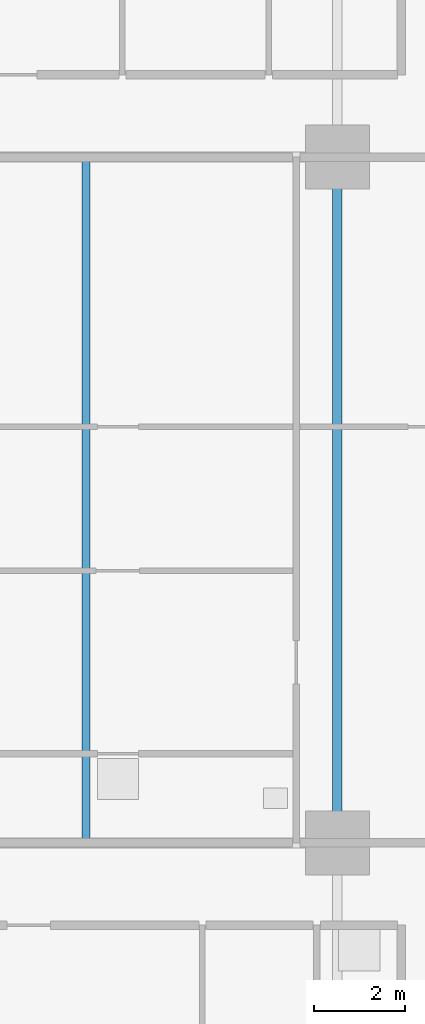
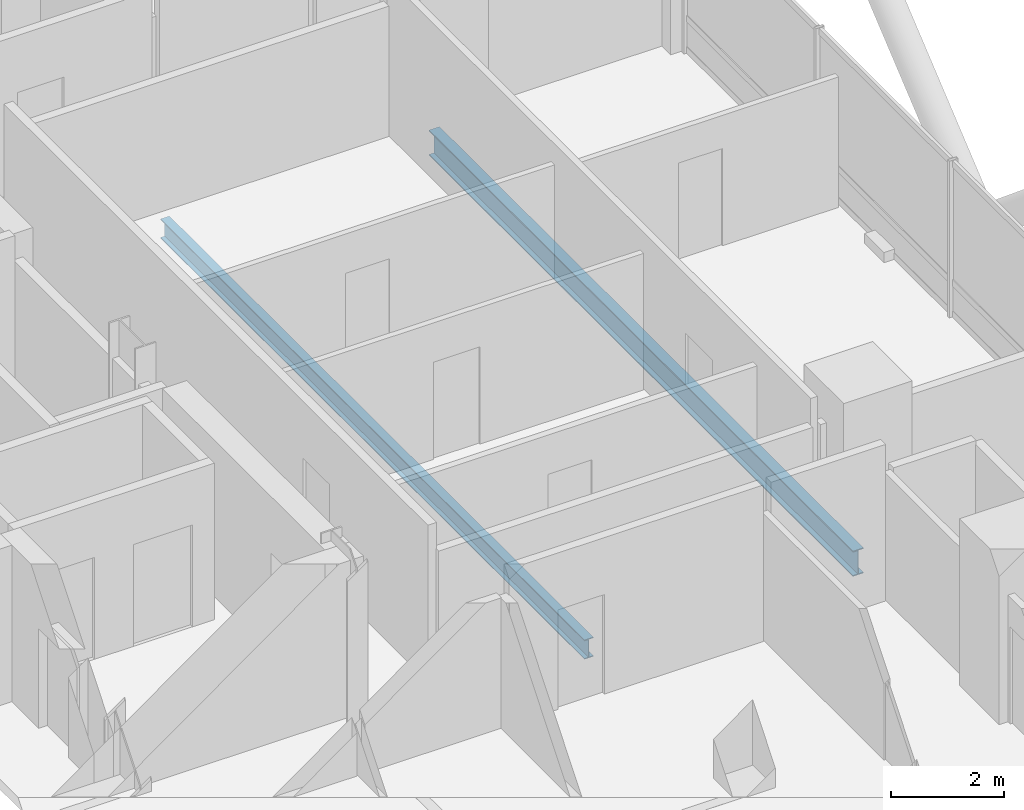
# One storey, part 11 of 28: 2 beams.
"""IFC4 building model written with IfcOpenShell, lengths in metres."""

from ifc_helpers import new_model, si_unit, direction, frame, origin, origin_2d, place, context, subcontext, project, spatial, i_section, extrude, material, material_profile, profile_set, type_object, element, save


model = new_model("IFC4")

# Units and contexts
model_context = context("Model", 3, precision=1e-05, world=origin(), true_north=direction((0.0, 1.0)))
body_context = subcontext(model_context, "Body", "Model", "MODEL_VIEW")
ifc_project = project(units=[si_unit("LENGTHUNIT", "METRE"), si_unit("AREAUNIT", "SQUARE_METRE"), si_unit("VOLUMEUNIT", "CUBIC_METRE"), si_unit("PLANEANGLEUNIT", "RADIAN"), si_unit("MASSUNIT", "GRAM", prefix="KILO")], contexts=[model_context])

# Site, building, storey
site_placement = place(None, origin())
site = spatial("IfcSite", under=ifc_project, at=site_placement, CompositionType="ELEMENT")
building_placement = place(site_placement, origin())
building = spatial("IfcBuilding", under=site, at=building_placement, Name="Barlavira Tower and Art Museum", CompositionType="ELEMENT")
storey_placement = place(building_placement, frame((0.0, 0.0, 39.60009765625)))
storey = spatial("IfcBuildingStorey", under=building, at=storey_placement, Name="L08", CompositionType="ELEMENT", Elevation=39.60009765625)

# Beams
ifc_material = material(Name="Steel S355", Category="steel")
ifc_material_profile_1 = material_profile(ifc_material, i_section(OverallWidth=0.180908203125, OverallDepth=0.4169921875, WebThickness=0.010986328125, FlangeThickness=0.018310546875, at=origin_2d()), Name="W410x85.0")
ifc_profile_set_1 = profile_set([ifc_material_profile_1], Name="Steel S355")
beam_type_1 = type_object("IfcBeamType", Name="Zone 1 Composite Floor Joist W410x85 Steel S355", PredefinedType="JOIST", material=ifc_profile_set_1)
beam_1_placement = place(storey_placement, frame((11.5, -7.5, -0.4287109375), z_axis=(0.0, 1.0, 0.0), x_axis=(-1.0, 0.0, 0.0)))
element("IfcBeam", 1, at=beam_1_placement, inside=storey, type_object=beam_type_1, Name="L08 Joist W2", PredefinedType="JOIST", context=body_context, shape_type="SweptSolid", body=[
    extrude(i_section(OverallWidth=0.180908203125, OverallDepth=0.4169921875, WebThickness=0.010986328125, FlangeThickness=0.018310546875, at=origin_2d()), origin(), (0.0, 0.0, 1.0), 15.0),
])
ifc_material_profile_2 = material_profile(ifc_material, i_section(OverallWidth=0.214111328125, OverallDepth=0.549072265625, WebThickness=0.0146484375, FlangeThickness=0.023681640625, at=origin_2d()), Name="W530x138.0")
ifc_profile_set_2 = profile_set([ifc_material_profile_2], Name="Steel S355")
beam_type_2 = type_object("IfcBeamType", Name="Zone 1 Primary Floor Girder W530x138 Steel S355", PredefinedType="BEAM", material=ifc_profile_set_2)
beam_2_placement = place(storey_placement, frame((17.0, -7.5, -0.49462890625), z_axis=(0.0, 1.0, 0.0), x_axis=(-1.0, 0.0, 0.0)))
element("IfcBeam", 2, at=beam_2_placement, inside=storey, type_object=beam_type_2, Name="L08 Girder M-E2", PredefinedType="BEAM", context=body_context, shape_type="SweptSolid", body=[
    extrude(i_section(OverallWidth=0.214111328125, OverallDepth=0.549072265625, WebThickness=0.0146484375, FlangeThickness=0.023681640625, at=origin_2d()), origin(), (0.0, 0.0, 1.0), 15.0),
])

save(model, "model.ifc")
